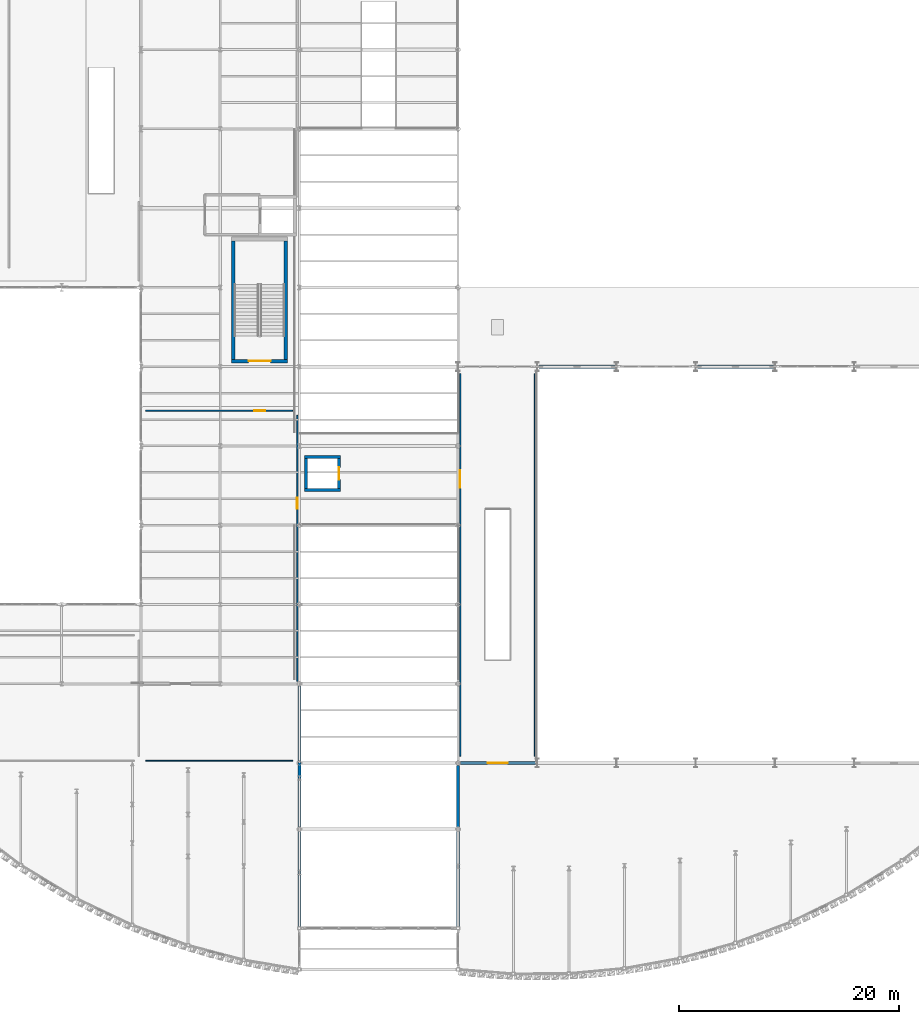
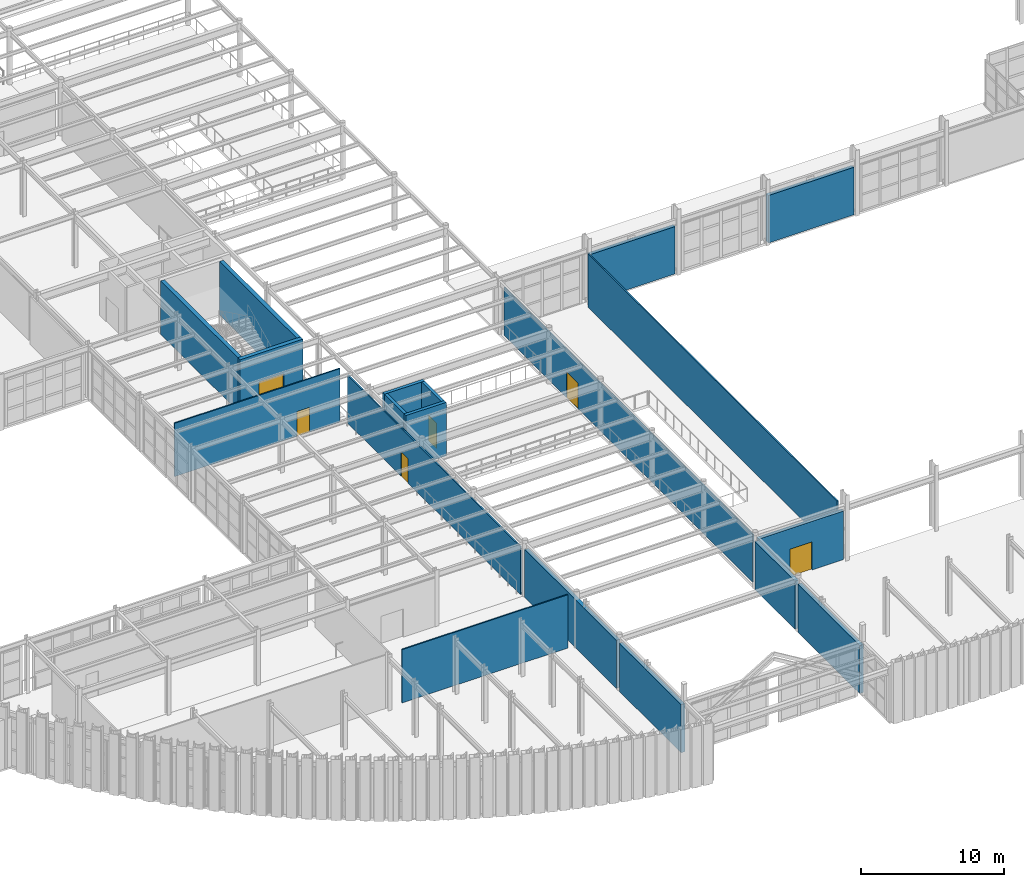
# One storey, part 104 of 126: 19 walls, 6 doors, 6 openings.
"""IFC4 building model written with IfcOpenShell, lengths in metres."""

from ifc_helpers import new_model, si_unit, direction, frame, frame_2d, origin, place, context, subcontext, project, spatial, rectangle, extrude, material, layer, layer_set, type_object, element, fill, save


model = new_model("IFC4")

# Units and contexts
model_context = context("Model", 3, precision=1e-05, world=origin(), true_north=direction((0.0, 1.0)))
body_context = subcontext(model_context, "Body", "Model", "MODEL_VIEW")
ifc_project = project(units=[si_unit("LENGTHUNIT", "METRE"), si_unit("AREAUNIT", "SQUARE_METRE"), si_unit("VOLUMEUNIT", "CUBIC_METRE"), si_unit("PLANEANGLEUNIT", "RADIAN"), si_unit("MASSUNIT", "GRAM", prefix="KILO")], contexts=[model_context])

# Site, building, storey
site_placement = place(None, origin())
site = spatial("IfcSite", under=ifc_project, at=site_placement, CompositionType="ELEMENT")
building_placement = place(site_placement, origin())
building = spatial("IfcBuilding", under=site, at=building_placement, Name="Solvadek Multi-Sports Hall", CompositionType="ELEMENT")
storey_placement = place(building_placement, frame((0.0, 0.0, 9.60009765625)))
storey = spatial("IfcBuildingStorey", under=building, at=storey_placement, Name="L02", CompositionType="ELEMENT", Elevation=9.60009765625)

# Walls
ifc_material_1 = material(Name="Dressed honey-cream limestone ashlar", Category="masonry")
ifc_layer_1 = layer(ifc_material_1, 0.300048828125, Name="Dressed honey-cream limestone ashlar")
ifc_layer_set_1 = layer_set([ifc_layer_1], Name="Dressed honey-cream limestone ashlar")
wall_type_1 = type_object("IfcWallType", Name="ENV-WAL-EXT300", PredefinedType="SOLIDWALL", material=ifc_layer_set_1)
wall_1_placement = place(storey_placement, frame((72.0, -8.845947265625, 0.0), z_axis=(0.0, 0.0, 1.0), x_axis=(0.0, 1.0, 0.0)))
element("IfcWall", 1, at=wall_1_placement, inside=storey, type_object=wall_type_1, Name="L02 Exterior Masonry Wall #216", PredefinedType="SOLIDWALL", context=body_context, shape_type="SweptSolid", body=[
    extrude(rectangle(XDim=8.638671875, YDim=0.300048828125, at=frame_2d((4.3193359375, 0.0))), origin(), (0.0, 0.0, 1.0), 4.094970703125),
])
wall_2_placement = place(storey_placement, frame((72.0, 0.207275390625, 0.0), z_axis=(0.0, 0.0, 1.0), x_axis=(0.0, 1.0, 0.0)))
element("IfcWall", 2, at=wall_2_placement, inside=storey, type_object=wall_type_1, Name="L02 Exterior Masonry Wall #219", PredefinedType="SOLIDWALL", context=body_context, shape_type="SweptSolid", body=[
    extrude(rectangle(XDim=12.78564453125, YDim=0.300048828125, at=frame_2d((6.392822265625, 0.0))), origin(), (0.0, 0.0, 1.0), 4.094970703125),
])
wall_3_placement = place(storey_placement, frame((86.39990234375, -8.845947265625, 0.0), z_axis=(0.0, 0.0, 1.0), x_axis=(0.0, 1.0, 0.0)))
element("IfcWall", 3, at=wall_3_placement, inside=storey, type_object=wall_type_1, Name="L02 Exterior Masonry Wall #223", PredefinedType="SOLIDWALL", context=body_context, shape_type="SweptSolid", body=[
    extrude(rectangle(XDim=8.638671875, YDim=0.300048828125, at=frame_2d((4.3193359375, 0.0))), origin(), (0.0, 0.0, 1.0), 4.094970703125),
])
wall_4_placement = place(storey_placement, frame((86.39990234375, 0.207275390625, 0.0), z_axis=(0.0, 0.0, 1.0), x_axis=(0.0, 1.0, 0.0)))
element("IfcWall", 4, at=wall_4_placement, inside=storey, type_object=wall_type_1, Name="L02 Exterior Masonry Wall #226", PredefinedType="SOLIDWALL", context=body_context, shape_type="SweptSolid", body=[
    extrude(rectangle(XDim=5.58544921875, YDim=0.300048828125, at=frame_2d((2.792724609375, 0.0))), origin(), (0.0, 0.0, 1.0), 4.094970703125),
])
wall_5_placement = place(storey_placement, frame((93.75390625, 42.0, 0.0), z_axis=(0.0, 0.0, 1.0), x_axis=(1.0, 0.0, 0.0)))
element("IfcWall", 5, at=wall_5_placement, inside=storey, type_object=wall_type_1, Name="L02 Exterior Masonry Wall #227", PredefinedType="SOLIDWALL", context=body_context, shape_type="SweptSolid", body=[
    extrude(rectangle(XDim=6.89208984375, YDim=0.300048828125, at=frame_2d((3.446044921875, 0.0))), origin(), (0.0, 0.0, 1.0), 4.044921875),
])
wall_6_placement = place(storey_placement, frame((108.154052734375, 42.0, 0.0), z_axis=(0.0, 0.0, 1.0), x_axis=(1.0, 0.0, 0.0)))
element("IfcWall", 6, at=wall_6_placement, inside=storey, type_object=wall_type_1, Name="L02 Exterior Masonry Wall #228", PredefinedType="SOLIDWALL", context=body_context, shape_type="SweptSolid", body=[
    extrude(rectangle(XDim=6.891845703125, YDim=0.300048828125, at=frame_2d((3.44580078125, 0.0))), origin(), (0.0, 0.0, 1.0), 4.044921875),
])

# Wall, opening, door
wall_7_placement = place(storey_placement, frame((86.607177734375, 6.0, 0.0), z_axis=(0.0, 0.0, 1.0), x_axis=(1.0, 0.0, 0.0)))
wall_7 = element("IfcWall", 7, at=wall_7_placement, inside=storey, type_object=wall_type_1, Name="L02 Exterior Masonry Wall #291", PredefinedType="SOLIDWALL", context=body_context, shape_type="SweptSolid", body=[
    extrude(rectangle(XDim=6.8388671875, YDim=0.300048828125, at=frame_2d((3.41943359375, 0.0))), origin(), (0.0, 0.0, 1.0), 4.14501953125),
])
opening_1_placement = place(wall_7_placement, frame((2.492919921875, 0.0, 0.0)))
opening_1 = element("IfcOpeningElement", 8, at=opening_1_placement, cuts=wall_7, Name="Opening D-LG04", PredefinedType="OPENING", context=body_context, shape_type="SweptSolid", body=[
    extrude(rectangle(XDim=1.800048828125, YDim=2.39990234375, at=frame_2d((0.89990234375, 1.199951171875))), frame((0.0, 0.159912109375, 0.0), z_axis=(0.0, -1.0, 0.0), x_axis=(1.0, 0.0, 0.0)), (0.0, 0.0, 1.0), 0.320068359375),
])
ifc_material_2 = material(Name="Anodised aluminium", Category="aluminium")
door_type_1 = type_object("IfcDoorType", Name="ENV-DOR-CTY180X240", OperationType="DOUBLE_DOOR_SINGLE_SWING", PredefinedType="DOOR", material=ifc_material_2)
door_1_placement = place(opening_1_placement, frame((1.800048828125, 0.0, 0.0), z_axis=(0.0, 0.0, 1.0), x_axis=(-1.0, 0.0, 0.0)))
door_1 = element("IfcDoor", 9, at=door_1_placement, inside=storey, type_object=door_type_1, Name="Second Floor East Crescent Loggia Door", OperationType="DOUBLE_DOOR_SINGLE_SWING", OverallHeight=2.39990234375, OverallWidth=1.800048828125, PredefinedType="DOOR", context=body_context, shape_type="SweptSolid", body=[
    extrude(rectangle(XDim=1.800048828125, YDim=2.39990234375, at=frame_2d((0.89990234375, 1.199951171875))), frame((0.0, 0.02490234375, 0.0), z_axis=(0.0, -1.0, 0.0), x_axis=(1.0, 0.0, 0.0)), (0.0, 0.0, 1.0), 0.050048828125),
])
fill(opening_1, door_1)

# Wall
ifc_material_3 = material(Name="Autoclaved aerated concrete blockwork", Category="masonry")
ifc_layer_2 = layer(ifc_material_3, 0.10498046875, Name="Autoclaved aerated concrete blockwork")
ifc_layer_set_2 = layer_set([ifc_layer_2], Name="Autoclaved aerated concrete blockwork")
wall_type_2 = type_object("IfcWallType", Name="INT-WAL-PRT105", PredefinedType="PARTITIONING", material=ifc_layer_set_2)
wall_8_placement = place(storey_placement, frame((58.02001953125, 6.199951171875, 0.0), z_axis=(0.0, 0.0, 1.0), x_axis=(1.0, 0.0, 0.0)))
element("IfcWall", 10, at=wall_8_placement, inside=storey, type_object=wall_type_2, Name="L02 Partition Wall L02-06 S", PredefinedType="PARTITIONING", context=body_context, shape_type="SweptSolid", body=[
    extrude(rectangle(XDim=13.35986328125, YDim=0.10498046875, at=frame_2d((6.679931640625, 0.0))), origin(), (0.0, 0.0, 1.0), 4.544921875),
])

# Wall, opening, door
wall_9_placement = place(storey_placement, frame((58.02001953125, 38.0, 0.0), z_axis=(0.0, 0.0, 1.0), x_axis=(1.0, 0.0, 0.0)))
wall_9 = element("IfcWall", 11, at=wall_9_placement, inside=storey, type_object=wall_type_2, Name="L02 Partition Wall L02-06 N", PredefinedType="PARTITIONING", context=body_context, shape_type="SweptSolid", body=[
    extrude(rectangle(XDim=13.35986328125, YDim=0.10498046875, at=frame_2d((6.679931640625, 0.0))), origin(), (0.0, 0.0, 1.0), 4.544921875),
])
opening_2_placement = place(wall_9_placement, frame((9.8798828125, 0.0, 0.0)))
opening_2 = element("IfcOpeningElement", 12, at=opening_2_placement, cuts=wall_9, Name="Opening D-01", PredefinedType="OPENING", context=body_context, shape_type="SweptSolid", body=[
    extrude(rectangle(XDim=1.0, YDim=2.10009765625, at=frame_2d((0.5, 1.050048828125))), frame((0.0, 0.0625, 0.0), z_axis=(0.0, -1.0, 0.0), x_axis=(1.0, 0.0, 0.0)), (0.0, 0.0, 1.0), 0.125),
])
ifc_material_4 = material(Name="Teak hardwood timber", Category="wood")
door_type_2 = type_object("IfcDoorType", Name="INT-DOR-RM100X210", OperationType="NOTDEFINED", PredefinedType="DOOR", material=ifc_material_4)
door_2_placement = place(opening_2_placement, frame((1.0, 0.0, 0.0), z_axis=(0.0, 0.0, 1.0), x_axis=(-1.0, 0.0, 0.0)))
door_2 = element("IfcDoor", 13, at=door_2_placement, inside=storey, type_object=door_type_2, Name="L02 L02-06 Door #11", OperationType="SINGLE_SWING_RIGHT", OverallHeight=2.10009765625, OverallWidth=1.0, PredefinedType="DOOR", context=body_context, shape_type="SweptSolid", body=[
    extrude(rectangle(XDim=1.0, YDim=2.10009765625, at=frame_2d((0.5, 1.050048828125))), frame((0.0, 0.02490234375, 0.0), z_axis=(0.0, -1.0, 0.0), x_axis=(1.0, 0.0, 0.0)), (0.0, 0.0, 1.0), 0.050048828125),
])
fill(opening_2, door_2)

wall_10_placement = place(storey_placement, frame((71.800048828125, 13.428466796875, 0.0), z_axis=(0.0, 0.0, 1.0), x_axis=(0.0, 1.0, 0.0)))
wall_10 = element("IfcWall", 14, at=wall_10_placement, inside=storey, type_object=wall_type_2, Name="L02 Partition Wall L02-06 E", PredefinedType="PARTITIONING", context=body_context, shape_type="SweptSolid", body=[
    extrude(rectangle(XDim=24.151611328125, YDim=0.10498046875, at=frame_2d((12.07568359375, 0.0))), origin(), (0.0, 0.0, 1.0), 4.08984375),
])
opening_3_placement = place(wall_10_placement, frame((15.67138671875, 0.0, 0.0)))
opening_3 = element("IfcOpeningElement", 15, at=opening_3_placement, cuts=wall_10, Name="Opening D-01", PredefinedType="OPENING", context=body_context, shape_type="SweptSolid", body=[
    extrude(rectangle(XDim=1.0, YDim=2.10009765625, at=frame_2d((0.5, 1.050048828125))), frame((0.0, 0.0625, 0.0), z_axis=(0.0, -1.0, 0.0), x_axis=(1.0, 0.0, 0.0)), (0.0, 0.0, 1.0), 0.125),
])
door_3_placement = place(opening_3_placement, origin())
door_3 = element("IfcDoor", 16, at=door_3_placement, inside=storey, type_object=door_type_2, Name="L02 L02-06 Door #12", OperationType="SINGLE_SWING_LEFT", OverallHeight=2.10009765625, OverallWidth=1.0, PredefinedType="DOOR", context=body_context, shape_type="SweptSolid", body=[
    extrude(rectangle(XDim=1.0, YDim=2.10009765625, at=frame_2d((0.5, 1.050048828125))), frame((0.0, 0.02490234375, 0.0), z_axis=(0.0, -1.0, 0.0), x_axis=(1.0, 0.0, 0.0)), (0.0, 0.0, 1.0), 0.050048828125),
])
fill(opening_3, door_3)

wall_11_placement = place(storey_placement, frame((86.60009765625, 6.6201171875, 0.0), z_axis=(0.0, 0.0, 1.0), x_axis=(0.0, 1.0, 0.0)))
wall_11 = element("IfcWall", 17, at=wall_11_placement, inside=storey, type_object=wall_type_2, Name="L02 Partition Wall L02-14 W", PredefinedType="PARTITIONING", context=body_context, shape_type="SweptSolid", body=[
    extrude(rectangle(XDim=34.759765625, YDim=0.10498046875, at=frame_2d((17.3798828125, 0.0))), origin(), (0.0, 0.0, 1.0), 4.08984375),
])
opening_4_placement = place(wall_11_placement, frame((24.3798828125, 0.0, 0.0)))
opening_4 = element("IfcOpeningElement", 18, at=opening_4_placement, cuts=wall_11, Name="Opening D-04", PredefinedType="OPENING", context=body_context, shape_type="SweptSolid", body=[
    extrude(rectangle(XDim=1.60009765625, YDim=2.199951171875, at=frame_2d((0.800048828125, 1.10009765625))), frame((0.0, 0.0625, 0.0), z_axis=(0.0, -1.0, 0.0), x_axis=(1.0, 0.0, 0.0)), (0.0, 0.0, 1.0), 0.125),
])
door_type_3 = type_object("IfcDoorType", Name="INT-DOR-STR160X220", OperationType="DOUBLE_DOOR_SINGLE_SWING", PredefinedType="DOOR", material=ifc_material_4)
door_4_placement = place(opening_4_placement, frame((1.60009765625, 0.0, 0.0), z_axis=(0.0, 0.0, 1.0), x_axis=(-1.0, 0.0, 0.0)))
door_4 = element("IfcDoor", 19, at=door_4_placement, inside=storey, type_object=door_type_3, Name="L02 L02-14 Door #15", OperationType="DOUBLE_DOOR_SINGLE_SWING", OverallHeight=2.199951171875, OverallWidth=1.60009765625, PredefinedType="DOOR", context=body_context, shape_type="SweptSolid", body=[
    extrude(rectangle(XDim=1.60009765625, YDim=2.199951171875, at=frame_2d((0.800048828125, 1.10009765625))), frame((0.0, 0.02490234375, 0.0), z_axis=(0.0, -1.0, 0.0), x_axis=(1.0, 0.0, 0.0)), (0.0, 0.0, 1.0), 0.050048828125),
])
fill(opening_4, door_4)

# Walls
wall_12_placement = place(storey_placement, frame((93.39990234375, 6.6201171875, 0.0), z_axis=(0.0, 0.0, 1.0), x_axis=(0.0, 1.0, 0.0)))
element("IfcWall", 20, at=wall_12_placement, inside=storey, type_object=wall_type_2, Name="L02 Partition Wall L02-14 E", PredefinedType="PARTITIONING", context=body_context, shape_type="SweptSolid", body=[
    extrude(rectangle(XDim=34.759765625, YDim=0.10498046875, at=frame_2d((17.3798828125, 0.0))), origin(), (0.0, 0.0, 1.0), 4.544921875),
])
ifc_material_5 = material(Name="Concrete M40", Category="concrete")
ifc_layer_3 = layer(ifc_material_5, 0.260009765625, Name="Concrete M40")
ifc_layer_set_3 = layer_set([ifc_layer_3], Name="Concrete M40")
wall_type_3 = type_object("IfcWallType", Name="INT-WAL-SHR260", PredefinedType="SHEAR", material=ifc_layer_set_3)
for number, where, z_axis, x_axis, name in (
    (21, (72.469970703125, 30.800048828125, 0.0), (0.0, 0.0, 1.0), (1.0, 0.0, 0.0), "Lift LP-02 Shaft Shear Wall L02 south"),
    (22, (72.469970703125, 33.800048828125, 0.0), (0.0, 0.0, 1.0), (1.0, 0.0, 0.0), "Lift LP-02 Shaft Shear Wall L02 north"),
):
    element("IfcWall", number, at=place(storey_placement, frame(where, z_axis=z_axis, x_axis=x_axis)), inside=storey, type_object=wall_type_3, Name=name, PredefinedType="SHEAR", context=body_context, shape_type="SweptSolid", body=[
        extrude(rectangle(XDim=3.260009765625, YDim=0.260009765625, at=frame_2d((1.6298828125, 0.0))), origin(), (0.0, 0.0, 1.0), 4.559814453125),
    ])
wall_13_placement = place(storey_placement, frame((72.60009765625, 30.929931640625, 0.0), z_axis=(0.0, 0.0, 1.0), x_axis=(0.0, 1.0, 0.0)))
element("IfcWall", 23, at=wall_13_placement, inside=storey, type_object=wall_type_3, Name="Lift LP-02 Shaft Shear Wall L02 west", PredefinedType="SHEAR", context=body_context, shape_type="SweptSolid", body=[
    extrude(rectangle(XDim=2.739990234375, YDim=0.260009765625, at=frame_2d((1.3701171875, 0.0))), origin(), (0.0, 0.0, 1.0), 4.559814453125),
])

# Wall, opening, door
wall_14_placement = place(storey_placement, frame((75.60009765625, 30.929931640625, 0.0), z_axis=(0.0, 0.0, 1.0), x_axis=(0.0, 1.0, 0.0)))
wall_14 = element("IfcWall", 24, at=wall_14_placement, inside=storey, type_object=wall_type_3, Name="Lift LP-02 Shaft Shear Wall L02 east", PredefinedType="SHEAR", context=body_context, shape_type="SweptSolid", body=[
    extrude(rectangle(XDim=2.739990234375, YDim=0.260009765625, at=frame_2d((1.3701171875, 0.0))), origin(), (0.0, 0.0, 1.0), 4.559814453125),
])
opening_5_placement = place(wall_14_placement, frame((0.820068359375, 0.0, 0.0)))
opening_5 = element("IfcOpeningElement", 25, at=opening_5_placement, cuts=wall_14, Name="Opening LD-19", PredefinedType="OPENING", context=body_context, shape_type="SweptSolid", body=[
    extrude(rectangle(XDim=1.10009765625, YDim=2.14990234375, at=frame_2d((0.550048828125, 1.074951171875))), frame((0.0, 0.139892578125, 0.0), z_axis=(0.0, -1.0, 0.0), x_axis=(1.0, 0.0, 0.0)), (0.0, 0.0, 1.0), 0.280029296875),
])
door_type_4 = type_object("IfcDoorType", Name="INT-DOR-LD110X215", OperationType="DOUBLE_DOOR_SLIDING", PredefinedType="DOOR", material=ifc_material_2)
door_5_placement = place(opening_5_placement, origin())
door_5 = element("IfcDoor", 26, at=door_5_placement, inside=storey, type_object=door_type_4, Name="L02 Lift LP-02 Sliding Landing Door LD-19", OperationType="DOUBLE_DOOR_SLIDING", OverallHeight=2.14990234375, OverallWidth=1.10009765625, PredefinedType="DOOR", context=body_context, shape_type="SweptSolid", body=[
    extrude(rectangle(XDim=1.10009765625, YDim=2.14990234375, at=frame_2d((0.550048828125, 1.074951171875))), frame((0.0, 0.02490234375, 0.0), z_axis=(0.0, -1.0, 0.0), x_axis=(1.0, 0.0, 0.0)), (0.0, 0.0, 1.0), 0.050048828125),
])
fill(opening_5, door_5)

ifc_layer_4 = layer(ifc_material_5, 0.320068359375, Name="Concrete M40")
ifc_layer_set_4 = layer_set([ifc_layer_4], Name="Concrete M40")
wall_type_4 = type_object("IfcWallType", Name="INT-WAL-SHR320", PredefinedType="SHEAR", material=ifc_layer_set_4)
wall_15_placement = place(storey_placement, frame((65.840087890625, 42.5, 0.0), z_axis=(0.0, 0.0, 1.0), x_axis=(1.0, 0.0, 0.0)))
wall_15 = element("IfcWall", 27, at=wall_15_placement, inside=storey, type_object=wall_type_4, Name="L02 Stair ST-04 Shear Wall S", PredefinedType="SHEAR", context=body_context, shape_type="SweptSolid", body=[
    extrude(rectangle(XDim=5.06982421875, YDim=0.320068359375, at=frame_2d((2.534912109375, 0.0))), origin(), (0.0, 0.0, 1.0), 4.559814453125),
])
opening_6_placement = place(wall_15_placement, frame((1.534912109375, 0.0, 0.0)))
opening_6 = element("IfcOpeningElement", 28, at=opening_6_placement, cuts=wall_15, Name="Opening FD120", PredefinedType="OPENING", context=body_context, shape_type="SweptSolid", body=[
    extrude(rectangle(XDim=2.0, YDim=2.14990234375, at=frame_2d((1.0, 1.074951171875))), frame((0.0, 0.169921875, 0.0), z_axis=(0.0, -1.0, 0.0), x_axis=(1.0, 0.0, 0.0)), (0.0, 0.0, 1.0), 0.340087890625),
])
ifc_material_6 = material(Name="Steel E250 (250 MPa)", Category="steel")
door_type_5 = type_object("IfcDoorType", Name="INT-DOR-FD200X215", OperationType="DOUBLE_DOOR_SINGLE_SWING", PredefinedType="DOOR", material=ifc_material_6)
door_6_placement = place(opening_6_placement, origin())
door_6 = element("IfcDoor", 29, at=door_6_placement, inside=storey, type_object=door_type_5, Name="L02 Stair ST-04 Fire Door", OperationType="DOUBLE_DOOR_SINGLE_SWING", OverallHeight=2.14990234375, OverallWidth=2.0, PredefinedType="DOOR", context=body_context, shape_type="SweptSolid", body=[
    extrude(rectangle(XDim=2.0, YDim=2.14990234375, at=frame_2d((1.0, 1.074951171875))), frame((0.0, 0.02490234375, 0.0), z_axis=(0.0, -1.0, 0.0), x_axis=(1.0, 0.0, 0.0)), (0.0, 0.0, 1.0), 0.050048828125),
])
fill(opening_6, door_6)

# Walls
for number, where, z_axis, x_axis, name in (
    (30, (66.0, 42.659912109375, 0.0), (0.0, 0.0, 1.0), (0.0, 1.0, 0.0), "L02 Stair ST-04 Shear Wall W"),
    (31, (70.75, 42.659912109375, 0.0), (0.0, 0.0, 1.0), (0.0, 1.0, 0.0), "L02 Stair ST-04 Shear Wall E"),
):
    element("IfcWall", number, at=place(storey_placement, frame(where, z_axis=z_axis, x_axis=x_axis)), inside=storey, type_object=wall_type_4, Name=name, PredefinedType="SHEAR", context=body_context, shape_type="SweptSolid", body=[
        extrude(rectangle(XDim=10.780029296875, YDim=0.320068359375, at=frame_2d((5.39013671875, 0.0))), origin(), (0.0, 0.0, 1.0), 4.559814453125),
    ])

save(model, "model.ifc")
